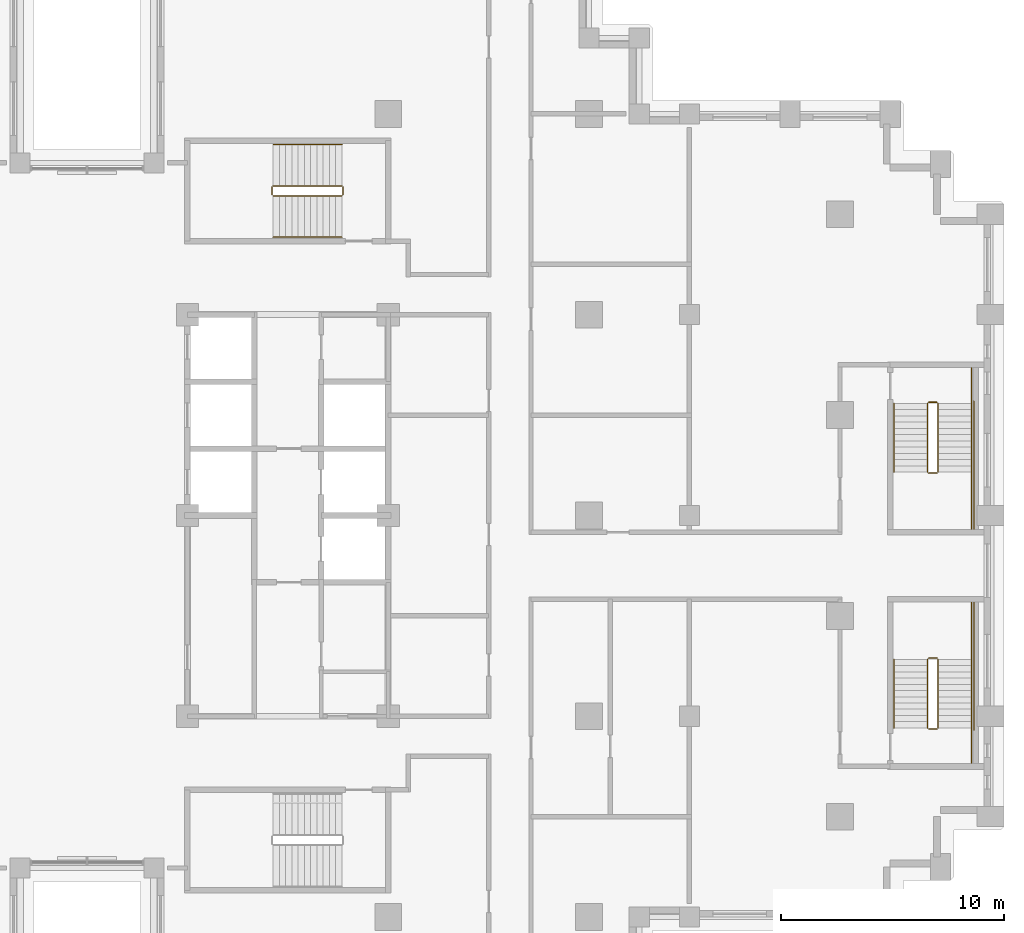
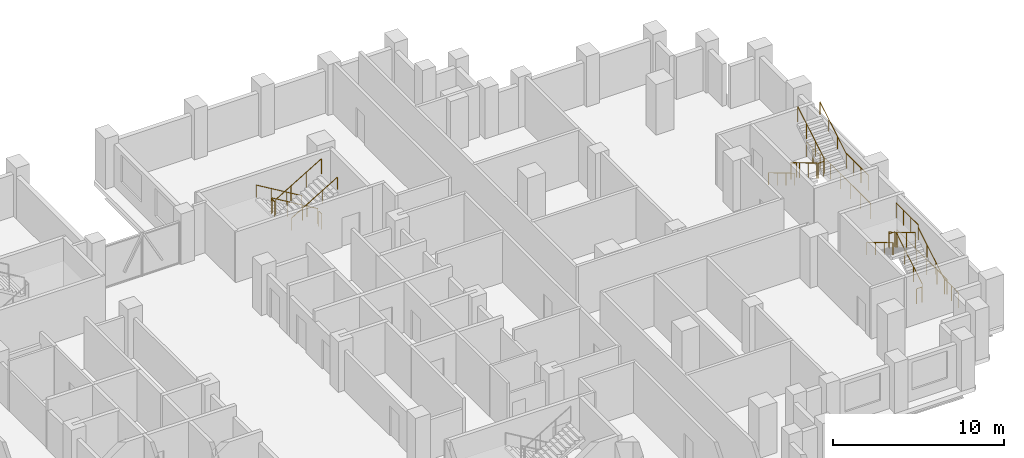
# One storey, part 16 of 16: 3 railings.
"""IFC4 building model written with IfcOpenShell, lengths in metres."""

from ifc_helpers import new_model, si_unit, direction, frame, origin, origin_2d, place, context, subcontext, project, spatial, circle, extrude, material, type_object, element, save


model = new_model("IFC4")

# Units and contexts
model_context = context("Model", 3, precision=1e-05, world=origin(), true_north=direction((0.0, 1.0)))
body_context = subcontext(model_context, "Body", "Model", "MODEL_VIEW")
ifc_project = project(units=[si_unit("LENGTHUNIT", "METRE"), si_unit("AREAUNIT", "SQUARE_METRE"), si_unit("VOLUMEUNIT", "CUBIC_METRE"), si_unit("PLANEANGLEUNIT", "RADIAN"), si_unit("MASSUNIT", "GRAM", prefix="KILO")], contexts=[model_context])

# Site, building, storey
site_placement = place(None, origin())
site = spatial("IfcSite", under=ifc_project, at=site_placement, CompositionType="ELEMENT")
building_placement = place(site_placement, origin())
building = spatial("IfcBuilding", under=site, at=building_placement, Name="Corbelhall Arena Tower", CompositionType="ELEMENT")
storey_placement = place(building_placement, frame((0.0, 0.0, 116.0)))
storey = spatial("IfcBuildingStorey", under=building, at=storey_placement, Name="L21", CompositionType="ELEMENT", Elevation=116.0)

# Railings
ifc_material = material(Name="Steel ASTM A500 Gr C", Category="steel")
railing_type = type_object("IfcRailingType", Name="IN-GD-1100", PredefinedType="GUARDRAIL", material=ifc_material)
railing_1_placement = place(storey_placement, frame((11.425048828125, 14.77490234375, 0.166748046875)))
element("IfcRailing", 1, at=railing_1_placement, inside=storey, type_object=railing_type, Name="L21 ST3 stair guards and handrails", PredefinedType="GUARDRAIL", context=body_context, shape_type="SweptSolid", body=[
    extrude(circle(Radius=0.02392578125, at=origin_2d()), frame((0.0, 0.0, 1.076171875), z_axis=(-0.859308565015, 0.0, 0.511457515432), x_axis=(0.0, -1.0, 0.0)), (0.0, 0.0, 1.0), 3.58447265625),
    extrude(circle(Radius=0.02392578125, at=origin_2d()), frame((-3.130126953125, -0.0498046875, 2.9091796875), z_axis=(0.0, -1.0, 0.0), x_axis=(1.0, 0.0, 0.0)), (0.0, 0.0, 1.0), 0.35009765625),
    extrude(circle(Radius=0.02392578125, at=origin_2d()), frame((-3.080078125, -0.449951171875, 3.076171875), z_axis=(0.859308565015, 0.0, 0.511457515432), x_axis=(0.0, 1.0, 0.0)), (0.0, 0.0, 1.0), 3.58447265625),
    extrude(circle(Radius=0.02392578125, at=origin_2d()), frame((0.050048828125, -0.0498046875, 0.9091796875), z_axis=(0.0, -1.0, 0.0), x_axis=(1.0, 0.0, 0.0)), (0.0, 0.0, 1.0), 0.35009765625),
    extrude(circle(Radius=0.02392578125, at=origin_2d()), frame((0.0, 1.85009765625, 0.8759765625), z_axis=(-0.859308565015, 0.0, 0.511457515432), x_axis=(0.0, -1.0, 0.0)), (0.0, 0.0, 1.0), 3.58447265625),
    extrude(circle(Radius=0.02392578125, at=origin_2d()), frame((-3.080078125, -2.2998046875, 2.8759765625), z_axis=(0.859308565015, 0.0, 0.511457515432), x_axis=(0.0, 1.0, 0.0)), (0.0, 0.0, 1.0), 3.58447265625),
    extrude(circle(Radius=0.02099609375, at=origin_2d()), origin(), (0.0, 0.0, 1.0), 1.052001953125),
    extrude(circle(Radius=0.02099609375, at=origin_2d()), frame((-1.026611328125, 0.0, 0.611083984375)), (0.0, 0.0, 1.0), 1.052001953125),
    extrude(circle(Radius=0.02099609375, at=origin_2d()), frame((-2.053466796875, 0.0, 1.22216796875)), (0.0, 0.0, 1.0), 1.052001953125),
    extrude(circle(Radius=0.02099609375, at=origin_2d()), frame((-3.080078125, 0.0, 1.833251953125)), (0.0, 0.0, 1.0), 1.052001953125),
    extrude(circle(Radius=0.02099609375, at=origin_2d()), frame((-3.130126953125, -0.0498046875, 1.833251953125)), (0.0, 0.0, 1.0), 1.052001953125),
    extrude(circle(Radius=0.02099609375, at=origin_2d()), frame((-3.130126953125, -0.39990234375, 1.833251953125)), (0.0, 0.0, 1.0), 1.052001953125),
    extrude(circle(Radius=0.02099609375, at=origin_2d()), frame((-3.080078125, -0.449951171875, 2.0)), (0.0, 0.0, 1.0), 1.052001953125),
    extrude(circle(Radius=0.02099609375, at=origin_2d()), frame((-2.053466796875, -0.449951171875, 2.611083984375)), (0.0, 0.0, 1.0), 1.052001953125),
    extrude(circle(Radius=0.02099609375, at=origin_2d()), frame((-1.026611328125, -0.449951171875, 3.22216796875)), (0.0, 0.0, 1.0), 1.052001953125),
    extrude(circle(Radius=0.02099609375, at=origin_2d()), frame((0.0, -0.449951171875, 3.833251953125)), (0.0, 0.0, 1.0), 1.052001953125),
    extrude(circle(Radius=0.02099609375, at=origin_2d()), frame((0.050048828125, -0.0498046875, -0.166748046875)), (0.0, 0.0, 1.0), 1.052001953125),
    extrude(circle(Radius=0.02099609375, at=origin_2d()), frame((0.050048828125, -0.39990234375, -0.166748046875)), (0.0, 0.0, 1.0), 1.052001953125),
    extrude(circle(Radius=0.02099609375, at=origin_2d()), frame((0.0, 1.85009765625, 0.0)), (0.0, 0.0, 1.0), 0.851806640625),
    extrude(circle(Radius=0.02099609375, at=origin_2d()), frame((-1.026611328125, 1.85009765625, 0.611083984375)), (0.0, 0.0, 1.0), 0.851806640625),
    extrude(circle(Radius=0.02099609375, at=origin_2d()), frame((-2.053466796875, 1.85009765625, 1.22216796875)), (0.0, 0.0, 1.0), 0.851806640625),
    extrude(circle(Radius=0.02099609375, at=origin_2d()), frame((-3.080078125, 1.85009765625, 1.833251953125)), (0.0, 0.0, 1.0), 0.851806640625),
    extrude(circle(Radius=0.02099609375, at=origin_2d()), frame((-3.080078125, -2.2998046875, 2.0)), (0.0, 0.0, 1.0), 0.851806640625),
    extrude(circle(Radius=0.02099609375, at=origin_2d()), frame((-2.053466796875, -2.2998046875, 2.611083984375)), (0.0, 0.0, 1.0), 0.851806640625),
    extrude(circle(Radius=0.02099609375, at=origin_2d()), frame((-1.026611328125, -2.2998046875, 3.22216796875)), (0.0, 0.0, 1.0), 0.851806640625),
    extrude(circle(Radius=0.02099609375, at=origin_2d()), frame((0.0, -2.2998046875, 3.833251953125)), (0.0, 0.0, 1.0), 0.851806640625),
])
railing_2_placement = place(storey_placement, frame((38.14990234375, -9.52490234375, 0.166748046875)))
element("IfcRailing", 2, at=railing_2_placement, inside=storey, type_object=railing_type, Name="L21 SD1 stair guards and handrails", PredefinedType="GUARDRAIL", context=body_context, shape_type="SweptSolid", body=[
    extrude(circle(Radius=0.02392578125, at=origin_2d()), frame((0.0, 0.0, 1.076171875), z_axis=(0.0, 0.859290745958, 0.51148745235), x_axis=(-1.0, 0.0, 0.0)), (0.0, 0.0, 1.0), 3.584228515625),
    extrude(circle(Radius=0.02392578125, at=origin_2d()), frame((-0.0498046875, 3.1298828125, 2.9091796875), z_axis=(-1.0, 0.0, 0.0), x_axis=(0.0, -1.0, 0.0)), (0.0, 0.0, 1.0), 0.375),
    extrude(circle(Radius=0.02392578125, at=origin_2d()), frame((1.5, 3.079833984375, 2.9091796875), z_axis=(0.0, 1.0, 0.0), x_axis=(-1.0, 0.0, 0.0)), (0.0, 0.0, 1.0), 2.570068359375),
    extrude(circle(Radius=0.02392578125, at=origin_2d()), frame((-0.474853515625, 3.079833984375, 3.076171875), z_axis=(0.0, -0.859290745958, 0.51148745235), x_axis=(1.0, 0.0, 0.0)), (0.0, 0.0, 1.0), 3.584228515625),
    extrude(circle(Radius=0.02392578125, at=origin_2d()), frame((-0.0498046875, -0.050048828125, 0.9091796875), z_axis=(-1.0, 0.0, 0.0), x_axis=(0.0, -1.0, 0.0)), (0.0, 0.0, 1.0), 0.375),
    extrude(circle(Radius=0.02392578125, at=origin_2d()), frame((1.5, -1.60009765625, 0.9091796875), z_axis=(0.0, 1.0, 0.0), x_axis=(-1.0, 0.0, 0.0)), (0.0, 0.0, 1.0), 1.60009765625),
    extrude(circle(Radius=0.02392578125, at=origin_2d()), frame((1.60009765625, -0.10009765625, 0.9091796875), z_axis=(0.0, 1.0, 0.0), x_axis=(-1.0, 0.0, 0.0)), (0.0, 0.0, 1.0), 5.85009765625),
    extrude(circle(Radius=0.02392578125, at=origin_2d()), frame((1.5, 0.0, 0.8759765625), z_axis=(0.0, 0.859290745958, 0.51148745235), x_axis=(-1.0, 0.0, 0.0)), (0.0, 0.0, 1.0), 3.584228515625),
    extrude(circle(Radius=0.02392578125, at=origin_2d()), frame((-1.974853515625, 3.079833984375, 2.8759765625), z_axis=(0.0, -0.859290745958, 0.51148745235), x_axis=(1.0, 0.0, 0.0)), (0.0, 0.0, 1.0), 3.584228515625),
    extrude(circle(Radius=0.02099609375, at=origin_2d()), origin(), (0.0, 0.0, 1.0), 1.052001953125),
    extrude(circle(Radius=0.02099609375, at=origin_2d()), frame((0.0, 1.026611328125, 0.611083984375)), (0.0, 0.0, 1.0), 1.052001953125),
    extrude(circle(Radius=0.02099609375, at=origin_2d()), frame((0.0, 2.05322265625, 1.22216796875)), (0.0, 0.0, 1.0), 1.052001953125),
    extrude(circle(Radius=0.02099609375, at=origin_2d()), frame((0.0, 3.079833984375, 1.833251953125)), (0.0, 0.0, 1.0), 1.052001953125),
    extrude(circle(Radius=0.02099609375, at=origin_2d()), frame((-0.0498046875, 3.1298828125, 1.833251953125)), (0.0, 0.0, 1.0), 1.052001953125),
    extrude(circle(Radius=0.02099609375, at=origin_2d()), frame((-0.4248046875, 3.1298828125, 1.833251953125)), (0.0, 0.0, 1.0), 1.052001953125),
    extrude(circle(Radius=0.02099609375, at=origin_2d()), frame((1.5, 3.079833984375, 1.833251953125)), (0.0, 0.0, 1.0), 1.052001953125),
    extrude(circle(Radius=0.02099609375, at=origin_2d()), frame((1.5, 3.9365234375, 1.833251953125)), (0.0, 0.0, 1.0), 1.052001953125),
    extrude(circle(Radius=0.02099609375, at=origin_2d()), frame((1.5, 4.793212890625, 1.833251953125)), (0.0, 0.0, 1.0), 1.052001953125),
    extrude(circle(Radius=0.02099609375, at=origin_2d()), frame((1.5, 5.64990234375, 1.833251953125)), (0.0, 0.0, 1.0), 1.052001953125),
    extrude(circle(Radius=0.02099609375, at=origin_2d()), frame((-0.474853515625, 3.079833984375, 2.0)), (0.0, 0.0, 1.0), 1.052001953125),
    extrude(circle(Radius=0.02099609375, at=origin_2d()), frame((-0.474853515625, 2.05322265625, 2.611083984375)), (0.0, 0.0, 1.0), 1.052001953125),
    extrude(circle(Radius=0.02099609375, at=origin_2d()), frame((-0.474853515625, 1.026611328125, 3.22216796875)), (0.0, 0.0, 1.0), 1.052001953125),
    extrude(circle(Radius=0.02099609375, at=origin_2d()), frame((-0.474853515625, 0.0, 3.833251953125)), (0.0, 0.0, 1.0), 1.052001953125),
    extrude(circle(Radius=0.02099609375, at=origin_2d()), frame((-0.0498046875, -0.050048828125, -0.166748046875)), (0.0, 0.0, 1.0), 1.052001953125),
    extrude(circle(Radius=0.02099609375, at=origin_2d()), frame((-0.4248046875, -0.050048828125, -0.166748046875)), (0.0, 0.0, 1.0), 1.052001953125),
    extrude(circle(Radius=0.02099609375, at=origin_2d()), frame((1.5, -1.60009765625, -0.166748046875)), (0.0, 0.0, 1.0), 1.052001953125),
    extrude(circle(Radius=0.02099609375, at=origin_2d()), frame((1.5, -0.800048828125, -0.166748046875)), (0.0, 0.0, 1.0), 1.052001953125),
    extrude(circle(Radius=0.02099609375, at=origin_2d()), frame((1.5, 0.0, -0.166748046875)), (0.0, 0.0, 1.0), 1.052001953125),
    extrude(circle(Radius=0.02099609375, at=origin_2d()), frame((1.60009765625, -0.10009765625, -0.166748046875)), (0.0, 0.0, 1.0), 1.052001953125),
    extrude(circle(Radius=0.02099609375, at=origin_2d()), frame((1.60009765625, 1.06982421875, -0.166748046875)), (0.0, 0.0, 1.0), 1.052001953125),
    extrude(circle(Radius=0.02099609375, at=origin_2d()), frame((1.60009765625, 2.239990234375, -0.166748046875)), (0.0, 0.0, 1.0), 1.052001953125),
    extrude(circle(Radius=0.02099609375, at=origin_2d()), frame((1.60009765625, 3.409912109375, -0.166748046875)), (0.0, 0.0, 1.0), 1.052001953125),
    extrude(circle(Radius=0.02099609375, at=origin_2d()), frame((1.60009765625, 4.580078125, -0.166748046875)), (0.0, 0.0, 1.0), 1.052001953125),
    extrude(circle(Radius=0.02099609375, at=origin_2d()), frame((1.60009765625, 5.75, -0.166748046875)), (0.0, 0.0, 1.0), 1.052001953125),
    extrude(circle(Radius=0.02099609375, at=origin_2d()), frame((1.5, 0.0, 0.0)), (0.0, 0.0, 1.0), 0.851806640625),
    extrude(circle(Radius=0.02099609375, at=origin_2d()), frame((1.5, 1.026611328125, 0.611083984375)), (0.0, 0.0, 1.0), 0.851806640625),
    extrude(circle(Radius=0.02099609375, at=origin_2d()), frame((1.5, 2.05322265625, 1.22216796875)), (0.0, 0.0, 1.0), 0.851806640625),
    extrude(circle(Radius=0.02099609375, at=origin_2d()), frame((-1.974853515625, 3.079833984375, 2.0)), (0.0, 0.0, 1.0), 0.851806640625),
    extrude(circle(Radius=0.02099609375, at=origin_2d()), frame((-1.974853515625, 2.05322265625, 2.611083984375)), (0.0, 0.0, 1.0), 0.851806640625),
    extrude(circle(Radius=0.02099609375, at=origin_2d()), frame((-1.974853515625, 1.026611328125, 3.22216796875)), (0.0, 0.0, 1.0), 0.851806640625),
    extrude(circle(Radius=0.02099609375, at=origin_2d()), frame((-1.974853515625, 0.0, 3.833251953125)), (0.0, 0.0, 1.0), 0.851806640625),
])
railing_3_placement = place(storey_placement, frame((37.675048828125, 5.02490234375, 0.166748046875)))
element("IfcRailing", 3, at=railing_3_placement, inside=storey, type_object=railing_type, Name="L21 SD2 stair guards and handrails", PredefinedType="GUARDRAIL", context=body_context, shape_type="SweptSolid", body=[
    extrude(circle(Radius=0.02392578125, at=origin_2d()), frame((0.0, 0.0, 1.076171875), z_axis=(0.0, -0.859290745958, 0.51148745235), x_axis=(1.0, 0.0, 0.0)), (0.0, 0.0, 1.0), 3.584228515625),
    extrude(circle(Radius=0.02392578125, at=origin_2d()), frame((0.050048828125, -3.1298828125, 2.9091796875), z_axis=(1.0, 0.0, 0.0), x_axis=(0.0, 1.0, 0.0)), (0.0, 0.0, 1.0), 0.375),
    extrude(circle(Radius=0.02392578125, at=origin_2d()), frame((1.974853515625, -3.079833984375, 2.9091796875), z_axis=(0.0, -1.0, 0.0), x_axis=(1.0, 0.0, 0.0)), (0.0, 0.0, 1.0), 2.570068359375),
    extrude(circle(Radius=0.02392578125, at=origin_2d()), frame((0.474853515625, -3.079833984375, 3.076171875), z_axis=(0.0, 0.859290745958, 0.51148745235), x_axis=(-1.0, 0.0, 0.0)), (0.0, 0.0, 1.0), 3.584228515625),
    extrude(circle(Radius=0.02392578125, at=origin_2d()), frame((0.050048828125, 0.050048828125, 0.9091796875), z_axis=(1.0, 0.0, 0.0), x_axis=(0.0, 1.0, 0.0)), (0.0, 0.0, 1.0), 0.375),
    extrude(circle(Radius=0.02392578125, at=origin_2d()), frame((1.974853515625, 1.60009765625, 0.9091796875), z_axis=(0.0, -1.0, 0.0), x_axis=(1.0, 0.0, 0.0)), (0.0, 0.0, 1.0), 1.60009765625),
    extrude(circle(Radius=0.02392578125, at=origin_2d()), frame((2.074951171875, 0.10009765625, 0.9091796875), z_axis=(0.0, -1.0, 0.0), x_axis=(1.0, 0.0, 0.0)), (0.0, 0.0, 1.0), 5.85009765625),
    extrude(circle(Radius=0.02392578125, at=origin_2d()), frame((-1.5, 0.0, 0.8759765625), z_axis=(0.0, -0.859290745958, 0.51148745235), x_axis=(1.0, 0.0, 0.0)), (0.0, 0.0, 1.0), 3.584228515625),
    extrude(circle(Radius=0.02392578125, at=origin_2d()), frame((1.974853515625, -3.079833984375, 2.8759765625), z_axis=(0.0, 0.859290745958, 0.51148745235), x_axis=(-1.0, 0.0, 0.0)), (0.0, 0.0, 1.0), 3.584228515625),
    extrude(circle(Radius=0.02099609375, at=origin_2d()), origin(), (0.0, 0.0, 1.0), 1.052001953125),
    extrude(circle(Radius=0.02099609375, at=origin_2d()), frame((0.0, -1.026611328125, 0.611083984375)), (0.0, 0.0, 1.0), 1.052001953125),
    extrude(circle(Radius=0.02099609375, at=origin_2d()), frame((0.0, -2.05322265625, 1.22216796875)), (0.0, 0.0, 1.0), 1.052001953125),
    extrude(circle(Radius=0.02099609375, at=origin_2d()), frame((0.0, -3.079833984375, 1.833251953125)), (0.0, 0.0, 1.0), 1.052001953125),
    extrude(circle(Radius=0.02099609375, at=origin_2d()), frame((0.050048828125, -3.1298828125, 1.833251953125)), (0.0, 0.0, 1.0), 1.052001953125),
    extrude(circle(Radius=0.02099609375, at=origin_2d()), frame((0.425048828125, -3.1298828125, 1.833251953125)), (0.0, 0.0, 1.0), 1.052001953125),
    extrude(circle(Radius=0.02099609375, at=origin_2d()), frame((1.974853515625, -3.079833984375, 1.833251953125)), (0.0, 0.0, 1.0), 1.052001953125),
    extrude(circle(Radius=0.02099609375, at=origin_2d()), frame((1.974853515625, -3.9365234375, 1.833251953125)), (0.0, 0.0, 1.0), 1.052001953125),
    extrude(circle(Radius=0.02099609375, at=origin_2d()), frame((1.974853515625, -4.793212890625, 1.833251953125)), (0.0, 0.0, 1.0), 1.052001953125),
    extrude(circle(Radius=0.02099609375, at=origin_2d()), frame((1.974853515625, -5.64990234375, 1.833251953125)), (0.0, 0.0, 1.0), 1.052001953125),
    extrude(circle(Radius=0.02099609375, at=origin_2d()), frame((0.474853515625, -3.079833984375, 2.0)), (0.0, 0.0, 1.0), 1.052001953125),
    extrude(circle(Radius=0.02099609375, at=origin_2d()), frame((0.474853515625, -2.05322265625, 2.611083984375)), (0.0, 0.0, 1.0), 1.052001953125),
    extrude(circle(Radius=0.02099609375, at=origin_2d()), frame((0.474853515625, -1.026611328125, 3.22216796875)), (0.0, 0.0, 1.0), 1.052001953125),
    extrude(circle(Radius=0.02099609375, at=origin_2d()), frame((0.474853515625, 0.0, 3.833251953125)), (0.0, 0.0, 1.0), 1.052001953125),
    extrude(circle(Radius=0.02099609375, at=origin_2d()), frame((0.050048828125, 0.050048828125, -0.166748046875)), (0.0, 0.0, 1.0), 1.052001953125),
    extrude(circle(Radius=0.02099609375, at=origin_2d()), frame((0.425048828125, 0.050048828125, -0.166748046875)), (0.0, 0.0, 1.0), 1.052001953125),
    extrude(circle(Radius=0.02099609375, at=origin_2d()), frame((1.974853515625, 1.60009765625, -0.166748046875)), (0.0, 0.0, 1.0), 1.052001953125),
    extrude(circle(Radius=0.02099609375, at=origin_2d()), frame((1.974853515625, 0.800048828125, -0.166748046875)), (0.0, 0.0, 1.0), 1.052001953125),
    extrude(circle(Radius=0.02099609375, at=origin_2d()), frame((1.974853515625, 0.0, -0.166748046875)), (0.0, 0.0, 1.0), 1.052001953125),
    extrude(circle(Radius=0.02099609375, at=origin_2d()), frame((2.074951171875, 0.10009765625, -0.166748046875)), (0.0, 0.0, 1.0), 1.052001953125),
    extrude(circle(Radius=0.02099609375, at=origin_2d()), frame((2.074951171875, -1.06982421875, -0.166748046875)), (0.0, 0.0, 1.0), 1.052001953125),
    extrude(circle(Radius=0.02099609375, at=origin_2d()), frame((2.074951171875, -2.239990234375, -0.166748046875)), (0.0, 0.0, 1.0), 1.052001953125),
    extrude(circle(Radius=0.02099609375, at=origin_2d()), frame((2.074951171875, -3.409912109375, -0.166748046875)), (0.0, 0.0, 1.0), 1.052001953125),
    extrude(circle(Radius=0.02099609375, at=origin_2d()), frame((2.074951171875, -4.580078125, -0.166748046875)), (0.0, 0.0, 1.0), 1.052001953125),
    extrude(circle(Radius=0.02099609375, at=origin_2d()), frame((2.074951171875, -5.75, -0.166748046875)), (0.0, 0.0, 1.0), 1.052001953125),
    extrude(circle(Radius=0.02099609375, at=origin_2d()), frame((-1.5, 0.0, 0.0)), (0.0, 0.0, 1.0), 0.851806640625),
    extrude(circle(Radius=0.02099609375, at=origin_2d()), frame((-1.5, -1.026611328125, 0.611083984375)), (0.0, 0.0, 1.0), 0.851806640625),
    extrude(circle(Radius=0.02099609375, at=origin_2d()), frame((-1.5, -2.05322265625, 1.22216796875)), (0.0, 0.0, 1.0), 0.851806640625),
    extrude(circle(Radius=0.02099609375, at=origin_2d()), frame((-1.5, -3.079833984375, 1.833251953125)), (0.0, 0.0, 1.0), 0.851806640625),
    extrude(circle(Radius=0.02099609375, at=origin_2d()), frame((1.974853515625, -3.079833984375, 2.0)), (0.0, 0.0, 1.0), 0.851806640625),
    extrude(circle(Radius=0.02099609375, at=origin_2d()), frame((1.974853515625, -2.05322265625, 2.611083984375)), (0.0, 0.0, 1.0), 0.851806640625),
    extrude(circle(Radius=0.02099609375, at=origin_2d()), frame((1.974853515625, -1.026611328125, 3.22216796875)), (0.0, 0.0, 1.0), 0.851806640625),
    extrude(circle(Radius=0.02099609375, at=origin_2d()), frame((1.974853515625, 0.0, 3.833251953125)), (0.0, 0.0, 1.0), 0.851806640625),
])

save(model, "model.ifc")
